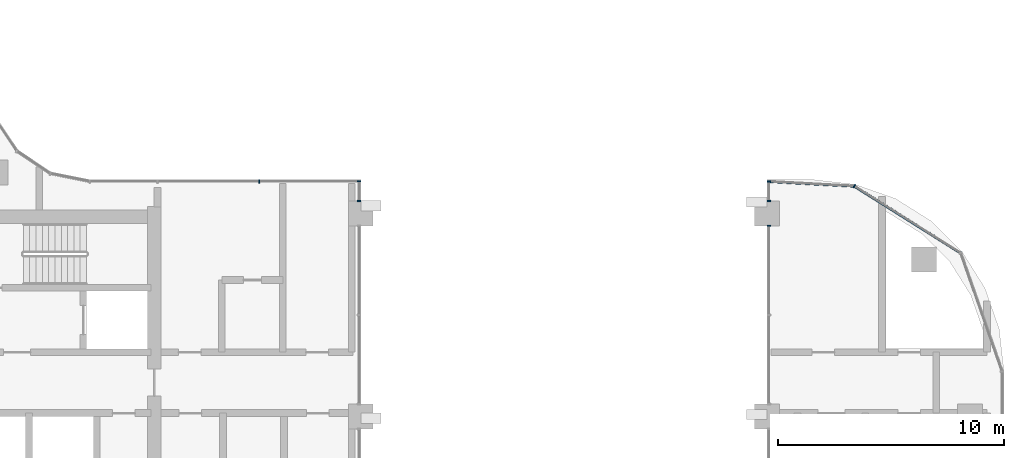
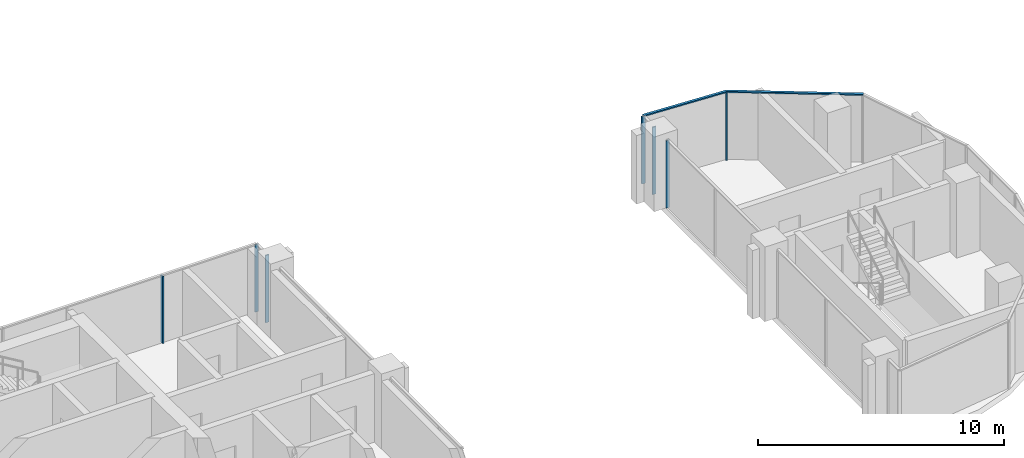
# One storey, part 4 of 23: 9 members, 5 elements without a shape of their own.
"""IFC4 building model written with IfcOpenShell, lengths in metres."""

import ifcopenshell
import ifcopenshell.guid

model = None  # the IFC model being written
_history = None  # IfcOwnerHistory: only IFC2X3 demands one
_inside = {}  # id of a spatial element -> (the spatial element, [elements in it])
_under = {}  # id of a project, library or spatial element -> (it, [spatial elements below it])
_declared = {}  # id of a project -> (the project, [libraries it declares])
_typed = {}  # id of a type object -> (the type object, [elements of that type])
_made_of = {}  # id of a material, layer set ... -> (it, [elements and type objects made of it])


def new_model(schema):
    """Start an empty IFC model of exactly this schema.

    Asked for "IFC4X3", IfcOpenShell would pick the latest addendum, in which some entities
    have other attributes; the version numbers below select the first issue.
    IFC2X3 requires an IfcOwnerHistory on every rooted entity: one is made here for all.
    """
    global model, _history
    if schema == "IFC4X3":
        model = ifcopenshell.file(schema_version=(4, 3, 0, 0))
    else:
        model = ifcopenshell.file(schema=schema)
    _inside.clear()
    _under.clear()
    _declared.clear()
    _typed.clear()
    _made_of.clear()
    _history = None
    if model.schema == "IFC2X3":
        org = make("IfcOrganization", Name="unknown")
        user = make(
            "IfcPersonAndOrganization",
            ThePerson=make("IfcPerson", FamilyName="unknown"),
            TheOrganization=org,
        )
        app = make(
            "IfcApplication",
            ApplicationDeveloper=org,
            Version="unknown",
            ApplicationFullName="unknown",
            ApplicationIdentifier="unknown",
        )
        _history = make(
            "IfcOwnerHistory",
            OwningUser=user,
            OwningApplication=app,
            ChangeAction="ADDED",
            CreationDate=0,
        )
    return model


def make(cls, **values):
    """One entity of the class cls with the attributes given. An attribute that is None is left unset."""
    return model.create_entity(
        cls, **{name: value for name, value in values.items() if value is not None}
    )


def rooted(cls, **values):
    """An entity with a GlobalId (a new one), such as an element, a storey or a relation."""
    return make(cls, GlobalId=ifcopenshell.guid.new(), OwnerHistory=_history, **values)


def si_unit(unit_type, name, prefix=None):
    """IfcSIUnit, for example si_unit("LENGTHUNIT", "METRE", prefix="MILLI")."""
    return make("IfcSIUnit", UnitType=unit_type, Prefix=prefix, Name=name)


def assignment(units):
    """IfcUnitAssignment: the units of a project."""
    return None if units is None else make("IfcUnitAssignment", Units=units)


def point(xyz):
    """IfcCartesianPoint."""
    return None if xyz is None else make("IfcCartesianPoint", Coordinates=xyz)


def direction(xyz):
    """IfcDirection."""
    return None if xyz is None else make("IfcDirection", DirectionRatios=xyz)


def frame(location, z_axis=None, x_axis=None):
    """IfcAxis2Placement3D, a coordinate frame: its origin and axes. An axis left out is left unset."""
    return make(
        "IfcAxis2Placement3D",
        Location=point(location),
        Axis=direction(z_axis),
        RefDirection=direction(x_axis),
    )


def frame_2d(location, x_axis=None):
    """IfcAxis2Placement2D, a coordinate frame in the plane: its origin and x axis."""
    return make(
        "IfcAxis2Placement2D", Location=point(location), RefDirection=direction(x_axis)
    )


def origin():
    """The frame at (0, 0, 0) with its axes left unset."""
    return frame((0.0, 0.0, 0.0))


def origin_2d():
    """The frame at (0, 0) in the plane with its x axis left unset."""
    return frame_2d((0.0, 0.0))


def place(relative_to, where):
    """IfcLocalPlacement: puts the frame where relative to a parent placement (None: the world)."""
    return make(
        "IfcLocalPlacement", PlacementRelTo=relative_to, RelativePlacement=where
    )


def context(
    kind, dimensions, precision=None, world=None, true_north=None, identifier=None
):
    """IfcGeometricRepresentationContext, for example the 3D "Model" context."""
    return make(
        "IfcGeometricRepresentationContext",
        ContextIdentifier=identifier,
        ContextType=kind,
        CoordinateSpaceDimension=dimensions,
        Precision=precision,
        WorldCoordinateSystem=world,
        TrueNorth=true_north,
    )


def subcontext(parent, identifier, kind, view, scale=None):
    """IfcGeometricRepresentationSubContext, for example "Body" below "Model"."""
    return make(
        "IfcGeometricRepresentationSubContext",
        ContextIdentifier=identifier,
        ContextType=kind,
        ParentContext=parent,
        TargetScale=scale,
        TargetView=view,
    )


def project(units=None, contexts=None):
    """IfcProject with its units and contexts."""
    return rooted(
        "IfcProject",
        Name="project",
        RepresentationContexts=contexts,
        UnitsInContext=assignment(units),
    )


def spatial(cls, under=None, at=None, **own):
    """A site, building, storey or space (cls), placed at a placement, below another one or the project."""
    s = rooted(cls, ObjectPlacement=at, **own)
    if under is not None:
        _under.setdefault(under.id(), (under, []))[1].append(s)
    return s


def profile(cls, at=None, kind="AREA", **sizes):
    """A parametric profile (cls). Its sizes go by their IFC names, for example OverallWidth=200.0."""
    return make(cls, ProfileType=kind, Position=at, **sizes)


def rectangle(**sizes):
    """IfcRectangleProfileDef."""
    return profile("IfcRectangleProfileDef", **sizes)


def extrude(swept, where, along, depth):
    """IfcExtrudedAreaSolid: the profile swept, set in the frame where, extruded along a direction by depth."""
    return make(
        "IfcExtrudedAreaSolid",
        SweptArea=swept,
        Position=where,
        ExtrudedDirection=direction(along),
        Depth=depth,
    )


def shape(context_of_items, identifier, shape_type, items):
    """IfcShapeRepresentation: the items that make up one representation, for example the "Body"."""
    return make(
        "IfcShapeRepresentation",
        ContextOfItems=context_of_items,
        RepresentationIdentifier=identifier,
        RepresentationType=shape_type,
        Items=items,
    )


def material(Name=None, Category=None):
    """IfcMaterial."""
    return make("IfcMaterial", Name=Name, Category=Category)


def material_profile(
    of_material, cross_section, Name=None, Category=None, Priority=None
):
    """IfcMaterialProfile: a cross section and its material."""
    return make(
        "IfcMaterialProfile",
        Name=Name,
        Material=of_material,
        Profile=cross_section,
        Priority=Priority,
        Category=Category,
    )


def profile_set(profiles, Name=None, composite=None):
    """IfcMaterialProfileSet."""
    return make(
        "IfcMaterialProfileSet",
        Name=Name,
        MaterialProfiles=profiles,
        CompositeProfile=composite,
    )


def made_of(thing, what):
    """Note that an element or type object is made of a material, layer set ...; save() writes the relation."""
    if what is not None:
        _made_of.setdefault(what.id(), (what, []))[1].append(thing)
    return thing


def type_object(cls, material=None, **own):
    """A type object (cls), such as IfcWallType, which elements share."""
    return made_of(rooted(cls, **own), material)


def element(
    cls,
    number,
    at=None,
    inside=None,
    cuts=None,
    type_object=None,
    material=None,
    context=None,
    identifier="Body",
    shape_type=None,
    held_by="IfcProductDefinitionShape",
    body=None,
    shapes=None,
    **own,
):
    """One element of the class cls, such as IfcWall. Its Tag is "e" and its number.

    at: its placement. inside: the storey or other place that contains it. cuts: it is an
    opening in that element (IfcRelVoidsElement). A single representation is given by context,
    identifier, shape_type and body (its items); several are given by shapes. held_by: the class
    of the entity that holds the representations. save() writes the other relations.
    """
    e = rooted(cls, Tag="e%d" % number, ObjectPlacement=at, **own)
    if body is not None:
        shapes = [shape(context, identifier, shape_type, body)]
    if shapes is not None:
        e.Representation = make(held_by, Representations=shapes)
    if inside is not None:
        _inside.setdefault(inside.id(), (inside, []))[1].append(e)
    if cuts is not None:
        rooted(
            "IfcRelVoidsElement", RelatingBuildingElement=cuts, RelatedOpeningElement=e
        )
    if type_object is not None:
        _typed.setdefault(type_object.id(), (type_object, []))[1].append(e)
    return made_of(e, material)


def aggregate(whole, parts):
    """IfcRelAggregates: a whole, such as a stair, and the parts it consists of."""
    return rooted("IfcRelAggregates", RelatingObject=whole, RelatedObjects=parts)


def save(model, path):
    """Write the relations noted so far, then the file.

    IfcRelAggregates (storeys below a building ...), IfcRelContainedInSpatialStructure (elements
    in a storey), IfcRelDefinesByType, IfcRelAssociatesMaterial and IfcRelDeclares: one each for
    every whole, place, type object, material and project.
    """
    for whole, parts in _under.values():
        aggregate(whole, parts)
    for where, things in _inside.values():
        rooted(
            "IfcRelContainedInSpatialStructure",
            RelatedElements=things,
            RelatingStructure=where,
        )
    for kind, things in _typed.values():
        rooted("IfcRelDefinesByType", RelatedObjects=things, RelatingType=kind)
    for what, things in _made_of.values():
        rooted("IfcRelAssociatesMaterial", RelatedObjects=things, RelatingMaterial=what)
    for by, libraries in _declared.values():
        rooted("IfcRelDeclares", RelatingContext=by, RelatedDefinitions=libraries)
    model.write(path)


model = new_model("IFC4")

# Units and contexts
model_context = context("Model", 3, precision=1e-05, world=origin(), true_north=direction((0.0, 1.0)))
body_context = subcontext(model_context, "Body", "Model", "MODEL_VIEW")
ifc_project = project(units=[si_unit("LENGTHUNIT", "METRE"), si_unit("AREAUNIT", "SQUARE_METRE"), si_unit("VOLUMEUNIT", "CUBIC_METRE"), si_unit("PLANEANGLEUNIT", "RADIAN"), si_unit("MASSUNIT", "GRAM", prefix="KILO")], contexts=[model_context])

# Site, building, storey
site_placement = place(None, origin())
site = spatial("IfcSite", under=ifc_project, at=site_placement, CompositionType="ELEMENT")
building_placement = place(site_placement, origin())
building = spatial("IfcBuilding", under=site, at=building_placement, Name="Ogive Portal Towers", CompositionType="ELEMENT")
storey_placement = place(building_placement, frame((0.0, 0.0, 149.60009765625)))
storey = spatial("IfcBuildingStorey", under=building, at=storey_placement, Name="L36", CompositionType="ELEMENT", Elevation=149.60009765625)

# Curtain wall, members
ifc_material_1 = material(Name="Glass, clear low-iron insulated glazing", Category="glass")
curtain_wall_type_1 = type_object("IfcCurtainWallType", Name="CW PORTAL REVEAL", PredefinedType="NOTDEFINED", material=ifc_material_1)
curtain_wall_1_placement = place(storey_placement, origin())
curtain_wall_1 = element("IfcCurtainWall", 1, at=curtain_wall_1_placement, inside=storey, type_object=curtain_wall_type_1, Name="A:L36:f07:cw0~3", PredefinedType="NOTDEFINED")
ifc_material_2 = material(Name="Aluminium 6063 anodised", Category="aluminium")
ifc_material_profile_1 = material_profile(ifc_material_2, rectangle(XDim=0.159912109375, YDim=0.06005859375, at=origin_2d()), Name="AL 60x160")
ifc_profile_set_1 = profile_set([ifc_material_profile_1], Name="Aluminium 6063 anodised")
member_type_1 = type_object("IfcMemberType", Name="CW MULLION 60x160", PredefinedType="MULLION", material=ifc_profile_set_1)
member_1_placement = place(storey_placement, frame((67.419921875, 40.050048828125, 0.0), z_axis=(0.0, 0.0, 1.0), x_axis=(-1.0, 0.0, 0.0)))
member_1 = element("IfcMember", 2, at=member_1_placement, type_object=member_type_1, Name="mullion", PredefinedType="MULLION", context=body_context, shape_type="SweptSolid", body=[
    extrude(rectangle(XDim=0.159912109375, YDim=0.06005859375, at=origin_2d()), origin(), (0.0, 0.0, 1.0), 3.33984375),
])
member_2_placement = place(storey_placement, frame((67.419921875, 40.919921875, 0.0), z_axis=(0.0, 0.0, 1.0), x_axis=(-1.0, 0.0, 0.0)))
member_2 = element("IfcMember", 3, at=member_2_placement, type_object=member_type_1, Name="mullion", PredefinedType="MULLION", context=body_context, shape_type="SweptSolid", body=[
    extrude(rectangle(XDim=0.159912109375, YDim=0.06005859375, at=origin_2d()), origin(), (0.0, 0.0, 1.0), 3.33984375),
])
aggregate(curtain_wall_1, [member_1, member_2])

# Curtain wall, member
curtain_wall_type_2 = type_object("IfcCurtainWallType", Name="CW FRONT RIBBON 4500", PredefinedType="NOTDEFINED", material=ifc_material_1)
curtain_wall_2_placement = place(storey_placement, origin())
curtain_wall_2 = element("IfcCurtainWall", 4, at=curtain_wall_2_placement, inside=storey, type_object=curtain_wall_type_2, Name="A:L36:f08:cw0", PredefinedType="NOTDEFINED")
member_3_placement = place(storey_placement, frame((63.0, 40.919921875, 0.0), z_axis=(0.0, 0.0, 1.0), x_axis=(0.0, -1.0, 0.0)))
member_3 = element("IfcMember", 5, at=member_3_placement, type_object=member_type_1, Name="mullion", PredefinedType="MULLION", context=body_context, shape_type="SweptSolid", body=[
    extrude(rectangle(XDim=0.159912109375, YDim=0.06005859375, at=origin_2d()), origin(), (0.0, 0.0, 1.0), 3.33984375),
])
aggregate(curtain_wall_2, [member_3])

# Curtain wall, members
curtain_wall_3_placement = place(storey_placement, origin())
curtain_wall_3 = element("IfcCurtainWall", 6, at=curtain_wall_3_placement, inside=storey, type_object=curtain_wall_type_1, Name="A:L36:f22:cw0~0", PredefinedType="NOTDEFINED")
member_4_placement = place(storey_placement, frame((85.580078125, 40.91552734375, 0.0), z_axis=(0.0, 0.0, 1.0), x_axis=(1.0, 0.0, 0.0)))
member_4 = element("IfcMember", 7, at=member_4_placement, type_object=member_type_1, Name="mullion", PredefinedType="MULLION", context=body_context, shape_type="SweptSolid", body=[
    extrude(rectangle(XDim=0.159912109375, YDim=0.06005859375, at=origin_2d()), origin(), (0.0, 0.0, 1.0), 3.33984375),
])
member_5_placement = place(storey_placement, frame((85.580078125, 40.050048828125, 0.0), z_axis=(0.0, 0.0, 1.0), x_axis=(1.0, 0.0, 0.0)))
member_5 = element("IfcMember", 8, at=member_5_placement, type_object=member_type_1, Name="mullion", PredefinedType="MULLION", context=body_context, shape_type="SweptSolid", body=[
    extrude(rectangle(XDim=0.159912109375, YDim=0.06005859375, at=origin_2d()), origin(), (0.0, 0.0, 1.0), 3.33984375),
])
aggregate(curtain_wall_3, [member_4, member_5])

# Curtain wall, member
curtain_wall_4_placement = place(storey_placement, origin())
curtain_wall_4 = element("IfcCurtainWall", 9, at=curtain_wall_4_placement, inside=storey, type_object=curtain_wall_type_1, Name="A:L36:f22:cw0~1", PredefinedType="NOTDEFINED")
member_6_placement = place(storey_placement, frame((85.580078125, 38.949951171875, 0.0), z_axis=(0.0, 0.0, 1.0), x_axis=(1.0, 0.0, 0.0)))
member_6 = element("IfcMember", 10, at=member_6_placement, type_object=member_type_1, Name="mullion", PredefinedType="MULLION", context=body_context, shape_type="SweptSolid", body=[
    extrude(rectangle(XDim=0.159912109375, YDim=0.06005859375, at=origin_2d()), origin(), (0.0, 0.0, 1.0), 3.33984375),
])
aggregate(curtain_wall_4, [member_6])

# Curtain wall, members
curtain_wall_5_placement = place(storey_placement, origin())
curtain_wall_5 = element("IfcCurtainWall", 11, at=curtain_wall_5_placement, inside=storey, type_object=curtain_wall_type_2, Name="A:L36:f27:cwa", PredefinedType="NOTDEFINED")
member_7_placement = place(storey_placement, frame((89.366455078125, 40.708251953125, 0.0), z_axis=(0.0, 0.0, 1.0), x_axis=(-0.532032076517, -0.846724199227, 0.0)))
member_7 = element("IfcMember", 12, at=member_7_placement, type_object=member_type_1, Name="mullion", PredefinedType="MULLION", context=body_context, shape_type="SweptSolid", body=[
    extrude(rectangle(XDim=0.159912109375, YDim=0.06005859375, at=origin_2d()), origin(), (0.0, 0.0, 1.0), 3.33984375),
])
ifc_material_profile_2 = material_profile(ifc_material_2, rectangle(XDim=0.1201171875, YDim=0.06005859375, at=origin_2d()), Name="AL 120x60")
ifc_profile_set_2 = profile_set([ifc_material_profile_2], Name="Aluminium 6063 anodised")
member_type_2 = type_object("IfcMemberType", Name="CW TRANSOM 60x120", PredefinedType="USERDEFINED", material=ifc_profile_set_2)
member_8_placement = place(storey_placement, frame((94.079345703125, 37.746826171875, 3.369873046875), z_axis=(-0.846714460213, 0.532047575755, 0.0), x_axis=(-0.532047575755, -0.846714460213, 0.0)))
member_8 = element("IfcMember", 13, at=member_8_placement, type_object=member_type_2, Name="transom", ObjectType="TRANSOM", PredefinedType="USERDEFINED", context=body_context, shape_type="SweptSolid", body=[
    extrude(rectangle(XDim=0.1201171875, YDim=0.06005859375, at=origin_2d()), origin(), (0.0, 0.0, 1.0), 5.566162109375),
])
member_9_placement = place(storey_placement, frame((89.366455078125, 40.708251953125, 3.369873046875), z_axis=(-0.998504993664, 0.054660567388, 0.0), x_axis=(-0.054660567388, -0.998504993664, 0.0)))
member_9 = element("IfcMember", 14, at=member_9_placement, type_object=member_type_2, Name="transom", ObjectType="TRANSOM", PredefinedType="USERDEFINED", context=body_context, shape_type="SweptSolid", body=[
    extrude(rectangle(XDim=0.1201171875, YDim=0.06005859375, at=origin_2d()), origin(), (0.0, 0.0, 1.0), 3.7919921875),
])
aggregate(curtain_wall_5, [member_8, member_9, member_7])

save(model, "model.ifc")
